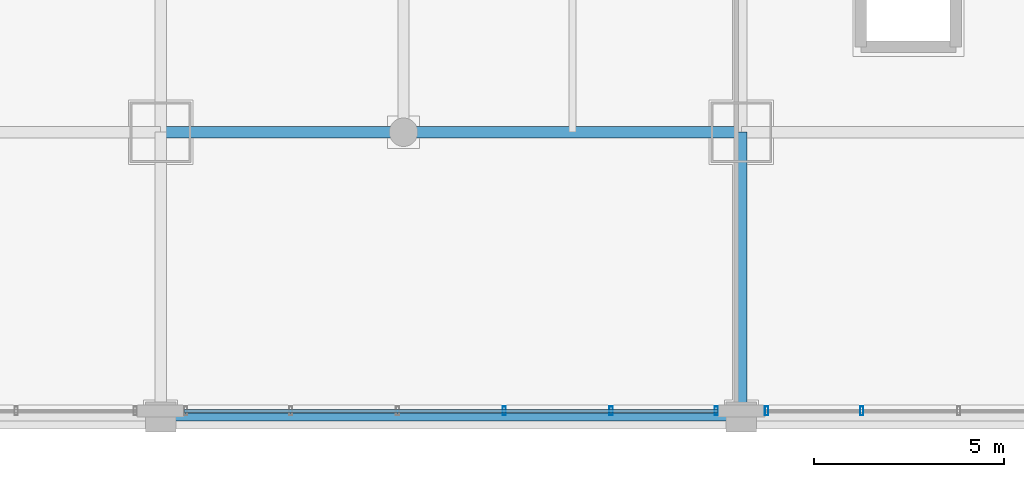
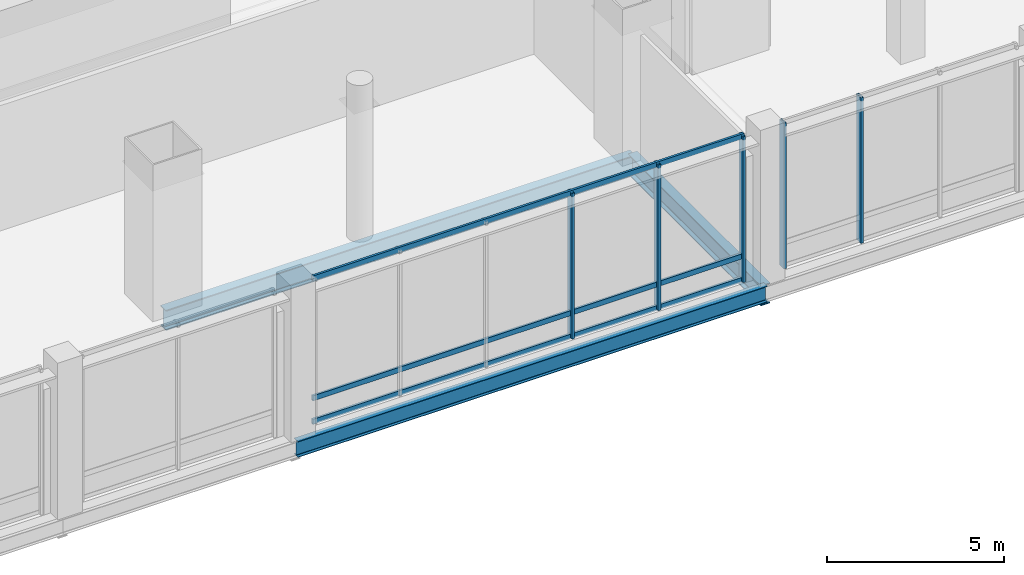
# One storey, part 7 of 35: 8 members, 3 beams, 2 elements without a shape of their own.
"""IFC4 building model written with IfcOpenShell, lengths in metres."""

from ifc_helpers import new_model, si_unit, direction, frame, origin, origin_2d, place, context, subcontext, project, spatial, hollow_rectangle, i_section, extrude, material, material_profile, profile_set, type_object, element, aggregate, save


model = new_model("IFC4")

# Units and contexts
model_context = context("Model", 3, precision=1e-05, world=origin(), true_north=direction((0.0, 1.0)))
body_context = subcontext(model_context, "Body", "Model", "MODEL_VIEW")
ifc_project = project(units=[si_unit("LENGTHUNIT", "METRE"), si_unit("AREAUNIT", "SQUARE_METRE"), si_unit("VOLUMEUNIT", "CUBIC_METRE"), si_unit("PLANEANGLEUNIT", "RADIAN"), si_unit("MASSUNIT", "GRAM", prefix="KILO")], contexts=[model_context])

# Site, building, storey
site_placement = place(None, origin())
site = spatial("IfcSite", under=ifc_project, at=site_placement, CompositionType="ELEMENT")
building_placement = place(site_placement, origin())
building = spatial("IfcBuilding", under=site, at=building_placement, Name="Punatoya Terracotta Tower", CompositionType="ELEMENT")
storey_placement = place(building_placement, frame((0.0, 0.0, 16.800048828125)))
storey = spatial("IfcBuildingStorey", under=building, at=storey_placement, Name="L03", CompositionType="ELEMENT", Elevation=16.800048828125)

# Beams
ifc_material_1 = material(Name="Steel S355", Category="steel")
ifc_material_profile_1 = material_profile(ifc_material_1, i_section(OverallWidth=0.300048828125, OverallDepth=0.699951171875, WebThickness=0.01708984375, FlangeThickness=0.031982421875, FilletRadius=0.01806640625, at=origin_2d()))
ifc_profile_set_1 = profile_set([ifc_material_profile_1], Name="Steel S355")
beam_type_1 = type_object("IfcBeamType", Name="BM-PRI-700", PredefinedType="BEAM", material=ifc_profile_set_1)
beam_1_placement = place(storey_placement, frame((3.800048828125, -17.5, -0.630126953125), z_axis=(1.0, 0.0, 0.0), x_axis=(0.0, 1.0, 0.0)))
element("IfcBeam", 1, at=beam_1_placement, inside=storey, type_object=beam_type_1, Name="BM-L03-RG-S3", PredefinedType="BEAM", context=body_context, shape_type="SweptSolid", body=[
    extrude(i_section(OverallWidth=0.300048828125, OverallDepth=0.699951171875, WebThickness=0.01708984375, FlangeThickness=0.031982421875, FilletRadius=0.01806640625, at=origin_2d()), origin(), (0.0, 0.0, 1.0), 15.300048828125),
])
beam_2_placement = place(storey_placement, frame((19.10009765625, -25.0, -0.630126953125), z_axis=(0.0, 1.0, 0.0), x_axis=(-1.0, 0.0, 0.0)))
element("IfcBeam", 2, at=beam_2_placement, inside=storey, type_object=beam_type_1, Name="BM-L03-M19E--25", PredefinedType="BEAM", context=body_context, shape_type="SweptSolid", body=[
    extrude(i_section(OverallWidth=0.300048828125, OverallDepth=0.699951171875, WebThickness=0.01708984375, FlangeThickness=0.031982421875, FilletRadius=0.01806640625, at=origin_2d()), origin(), (0.0, 0.0, 1.0), 7.5),
])
ifc_material_profile_2 = material_profile(ifc_material_1, i_section(OverallWidth=0.2099609375, OverallDepth=0.550048828125, WebThickness=0.010986328125, FlangeThickness=0.01708984375, FilletRadius=0.01806640625, at=origin_2d()))
ifc_profile_set_2 = profile_set([ifc_material_profile_2], Name="Steel S355")
beam_type_2 = type_object("IfcBeamType", Name="BM-SPN-550", PredefinedType="SPANDREL", material=ifc_profile_set_2)
beam_3_placement = place(storey_placement, frame((3.800048828125, -25.0, -0.554931640625), z_axis=(1.0, 0.0, 0.0), x_axis=(0.0, 1.0, 0.0)))
element("IfcBeam", 3, at=beam_3_placement, inside=storey, type_object=beam_type_2, Name="BM-L03-MIDA-3", PredefinedType="SPANDREL", context=body_context, shape_type="SweptSolid", body=[
    extrude(i_section(OverallWidth=0.2099609375, OverallDepth=0.550048828125, WebThickness=0.010986328125, FlangeThickness=0.01708984375, FilletRadius=0.01806640625, at=origin_2d()), origin(), (0.0, 0.0, 1.0), 15.300048828125),
])

# Curtain wall, members
ifc_material_2 = material(Name="Aluminium 6063-T6 + Double Low-E Glass", Category="aluminium")
curtain_wall_type = type_object("IfcCurtainWallType", Name="CW-POD", PredefinedType="NOTDEFINED", material=ifc_material_2)
curtain_wall_1_placement = place(storey_placement, origin())
curtain_wall_1 = element("IfcCurtainWall", 4, at=curtain_wall_1_placement, inside=storey, type_object=curtain_wall_type, Name="L03 Curtain Wall CWP-L03-S5", PredefinedType="NOTDEFINED")
ifc_material_3 = material(Name="Aluminium 6063-T6", Category="aluminium")
ifc_material_profile_3 = material_profile(ifc_material_3, hollow_rectangle(XDim=0.0849609375, YDim=0.239990234375, WallThickness=0.0048828125, at=origin_2d()))
ifc_profile_set_3 = profile_set([ifc_material_profile_3], Name="Aluminium 6063-T6")
member_type_1 = type_object("IfcMemberType", Name="CW-MUL-POD", PredefinedType="MULLION", material=ifc_profile_set_3)
member_1_placement = place(storey_placement, frame((12.85595703125, -24.840087890625, 0.0), z_axis=(0.0, 0.0, 1.0), x_axis=(1.0, 0.0, 0.0)))
member_1 = element("IfcMember", 5, at=member_1_placement, type_object=member_type_1, Name="CWP-L03-S5 Mullion 03", PredefinedType="MULLION", context=body_context, shape_type="SweptSolid", body=[
    extrude(hollow_rectangle(XDim=0.0849609375, YDim=0.239990234375, WallThickness=0.0048828125, at=origin_2d()), origin(), (0.0, 0.0, 1.0), 5.02001953125),
])
member_2_placement = place(storey_placement, frame((15.66796875, -24.840087890625, 0.0), z_axis=(0.0, 0.0, 1.0), x_axis=(1.0, 0.0, 0.0)))
member_2 = element("IfcMember", 6, at=member_2_placement, type_object=member_type_1, Name="CWP-L03-S5 Mullion 04", PredefinedType="MULLION", context=body_context, shape_type="SweptSolid", body=[
    extrude(hollow_rectangle(XDim=0.0849609375, YDim=0.239990234375, WallThickness=0.0048828125, at=origin_2d()), origin(), (0.0, 0.0, 1.0), 5.02001953125),
])
member_3_placement = place(storey_placement, frame((18.43505859375, -24.840087890625, 0.0), z_axis=(0.0, 0.0, 1.0), x_axis=(1.0, 0.0, 0.0)))
member_3 = element("IfcMember", 7, at=member_3_placement, type_object=member_type_1, Name="CWP-L03-S5 Mullion 05", PredefinedType="MULLION", context=body_context, shape_type="SweptSolid", body=[
    extrude(hollow_rectangle(XDim=0.0849609375, YDim=0.239990234375, WallThickness=0.0048828125, at=origin_2d()), origin(), (0.0, 0.0, 1.0), 5.02001953125),
])

curtain_wall_2_placement = place(storey_placement, origin())
curtain_wall_2 = element("IfcCurtainWall", 8, at=curtain_wall_2_placement, inside=storey, type_object=curtain_wall_type, Name="L03 Curtain Wall CWP-L03-S6", PredefinedType="NOTDEFINED")
member_4_placement = place(storey_placement, frame((19.764892578125, -24.840087890625, 0.0), z_axis=(0.0, 0.0, 1.0), x_axis=(1.0, 0.0, 0.0)))
member_4 = element("IfcMember", 9, at=member_4_placement, type_object=member_type_1, Name="CWP-L03-S6 Mullion 00", PredefinedType="MULLION", context=body_context, shape_type="SweptSolid", body=[
    extrude(hollow_rectangle(XDim=0.0849609375, YDim=0.239990234375, WallThickness=0.0048828125, at=origin_2d()), origin(), (0.0, 0.0, 1.0), 5.02001953125),
])
member_5_placement = place(storey_placement, frame((22.273193359375, -24.840087890625, 0.0), z_axis=(0.0, 0.0, 1.0), x_axis=(1.0, 0.0, 0.0)))
member_5 = element("IfcMember", 10, at=member_5_placement, type_object=member_type_1, Name="CWP-L03-S6 Mullion 01", PredefinedType="MULLION", context=body_context, shape_type="SweptSolid", body=[
    extrude(hollow_rectangle(XDim=0.0849609375, YDim=0.239990234375, WallThickness=0.0048828125, at=origin_2d()), origin(), (0.0, 0.0, 1.0), 5.02001953125),
])
aggregate(curtain_wall_2, [member_4, member_5])

# Member
ifc_material_profile_4 = material_profile(ifc_material_3, hollow_rectangle(XDim=0.074951171875, YDim=0.175048828125, WallThickness=0.00439453125, at=origin_2d()))
ifc_profile_set_4 = profile_set([ifc_material_profile_4], Name="Aluminium 6063-T6")
member_type_2 = type_object("IfcMemberType", Name="CW-TRN-POD", PredefinedType="USERDEFINED", material=ifc_profile_set_4)
member_6_placement = place(storey_placement, frame((4.419921875, -24.840087890625, 0.0400390625), z_axis=(1.0, 0.0, 0.0), x_axis=(0.0, 1.0, 0.0)))
member_6 = element("IfcMember", 11, at=member_6_placement, type_object=member_type_2, Name="CWP-L03-S5 Transom 1", ObjectType="TRANSOM", PredefinedType="USERDEFINED", context=body_context, shape_type="SweptSolid", body=[
    extrude(hollow_rectangle(XDim=0.074951171875, YDim=0.175048828125, WallThickness=0.00439453125, at=origin_2d()), origin(), (0.0, 0.0, 1.0), 14.06005859375),
])

member_7_placement = place(storey_placement, frame((4.419921875, -24.840087890625, 0.849853515625), z_axis=(1.0, 0.0, 0.0), x_axis=(0.0, 1.0, 0.0)))
member_7 = element("IfcMember", 12, at=member_7_placement, type_object=member_type_2, Name="CWP-L03-S5 Transom 2", ObjectType="TRANSOM", PredefinedType="USERDEFINED", context=body_context, shape_type="SweptSolid", body=[
    extrude(hollow_rectangle(XDim=0.074951171875, YDim=0.175048828125, WallThickness=0.00439453125, at=origin_2d()), origin(), (0.0, 0.0, 1.0), 14.06005859375),
])

member_8_placement = place(storey_placement, frame((4.419921875, -24.840087890625, 4.97998046875), z_axis=(1.0, 0.0, 0.0), x_axis=(0.0, 1.0, 0.0)))
member_8 = element("IfcMember", 13, at=member_8_placement, type_object=member_type_2, Name="CWP-L03-S5 Transom 3", ObjectType="TRANSOM", PredefinedType="USERDEFINED", context=body_context, shape_type="SweptSolid", body=[
    extrude(hollow_rectangle(XDim=0.074951171875, YDim=0.175048828125, WallThickness=0.00439453125, at=origin_2d()), origin(), (0.0, 0.0, 1.0), 14.06005859375),
])

aggregate(curtain_wall_1, [member_1, member_2, member_3, member_6, member_7, member_8])

save(model, "model.ifc")
